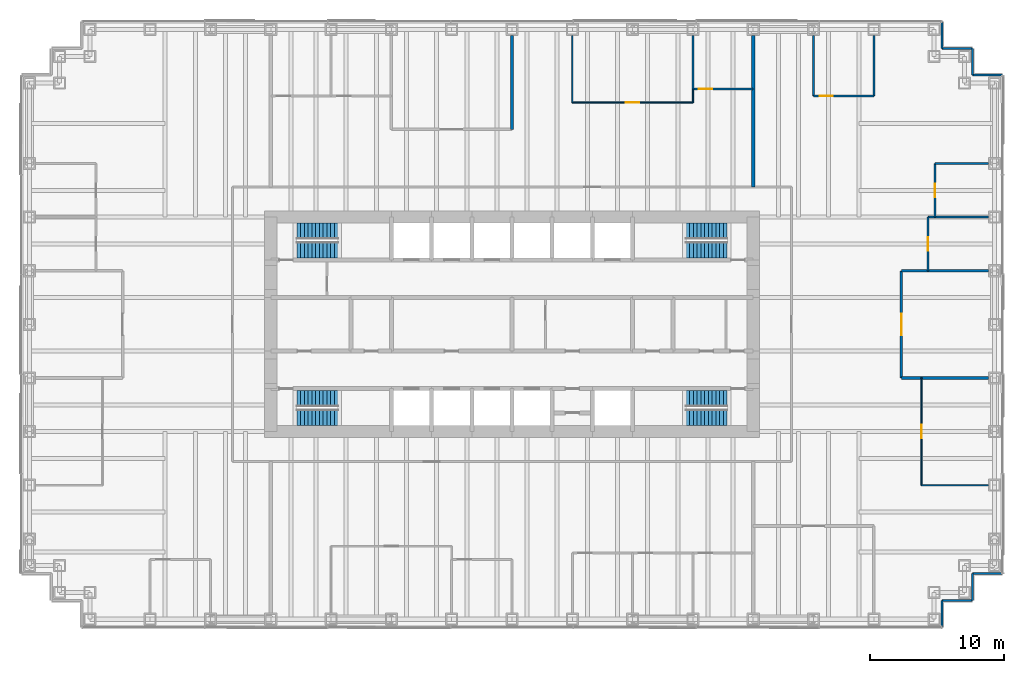
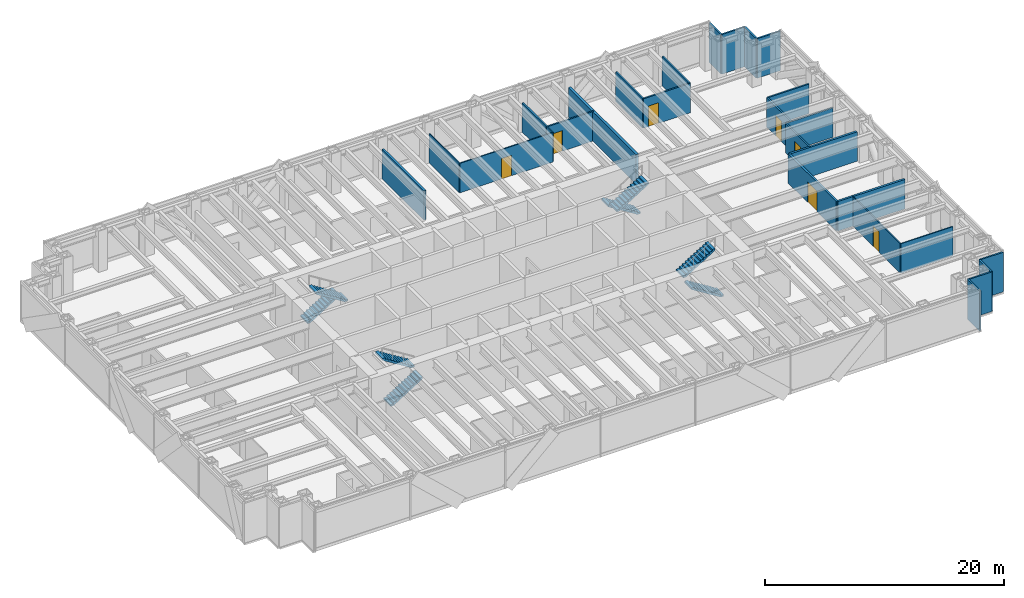
# One storey, part 14 of 15: 27 walls, 8 stair flights, 7 doors, 7 openings, 4 elements without a shape of their own.
"""IFC4 building model written with IfcOpenShell, lengths in metres."""

from ifc_helpers import new_model, si_unit, direction, frame, frame_2d, origin, place, context, subcontext, project, spatial, polyline, rectangle, outline, extrude, material, layer, layer_set, type_object, element, fill, aggregate, save


model = new_model("IFC4")

# Units and contexts
model_context = context("Model", 3, precision=1e-05, world=origin(), true_north=direction((0.0, 1.0)))
body_context = subcontext(model_context, "Body", "Model", "MODEL_VIEW")
ifc_project = project(units=[si_unit("LENGTHUNIT", "METRE"), si_unit("AREAUNIT", "SQUARE_METRE"), si_unit("VOLUMEUNIT", "CUBIC_METRE"), si_unit("PLANEANGLEUNIT", "RADIAN"), si_unit("MASSUNIT", "GRAM", prefix="KILO")], contexts=[model_context])

# Site, building, storey
site_placement = place(None, origin())
site = spatial("IfcSite", under=ifc_project, at=site_placement, CompositionType="ELEMENT")
building_placement = place(site_placement, origin())
building = spatial("IfcBuilding", under=site, at=building_placement, Name="Rheinbord Bourse Tower", CompositionType="ELEMENT")
storey_placement = place(building_placement, frame((0.0, 0.0, 142.5)))
storey = spatial("IfcBuildingStorey", under=building, at=storey_placement, Name="L31", CompositionType="ELEMENT", Elevation=142.5)

# Walls
ifc_material_1 = material(Name="Acoustic gypsum board partition", Category="gypsum board")
ifc_layer_1 = layer(ifc_material_1, 0.199951171875)
ifc_layer_set_1 = layer_set([ifc_layer_1], Name="ACOUSTIC PARTITION 200")
wall_type_1 = type_object("IfcWallType", Name="ACOUSTIC PARTITION 200", PredefinedType="PARTITIONING", material=ifc_layer_set_1)
for number, where, z_axis, x_axis, name in (
    (1, (65.050048828125, 20.0, 0.0), (0.0, 0.0, 1.0), (1.0, 0.0, 0.0), "Partition L31-10"),
    (2, (65.050048828125, 28.0, 0.0), (0.0, 0.0, 1.0), (1.0, 0.0, 0.0), "Partition L31-12"),
):
    element("IfcWall", number, at=place(storey_placement, frame(where, z_axis=z_axis, x_axis=x_axis)), inside=storey, type_object=wall_type_1, Name=name, PredefinedType="PARTITIONING", context=body_context, shape_type="SweptSolid", body=[
        extrude(rectangle(XDim=6.5, YDim=0.199951171875, at=frame_2d((3.25, 0.0))), origin(), (0.0, 0.0, 1.0), 3.0),
    ])
wall_1_placement = place(storey_placement, frame((36.0, 38.550048828125, 0.0), z_axis=(0.0, 0.0, 1.0), x_axis=(0.0, 1.0, 0.0)))
element("IfcWall", 3, at=wall_1_placement, inside=storey, type_object=wall_type_1, Name="Partition L31-37", PredefinedType="PARTITIONING", context=body_context, shape_type="SweptSolid", body=[
    extrude(rectangle(XDim=7.0, YDim=0.199951171875, at=frame_2d((3.5, 0.0))), origin(), (0.0, 0.0, 1.0), 3.0),
])

# Wall, opening, door
wall_2_placement = place(storey_placement, frame((65.050048828125, 20.0, 0.0), z_axis=(0.0, 0.0, 1.0), x_axis=(0.0, 1.0, 0.0)))
wall_2 = element("IfcWall", 4, at=wall_2_placement, inside=storey, type_object=wall_type_1, Name="Partition L31-50", PredefinedType="PARTITIONING", context=body_context, shape_type="SweptSolid", body=[
    extrude(rectangle(XDim=8.0, YDim=0.199951171875, at=frame_2d((4.0, 0.0))), origin(), (0.0, 0.0, 1.0), 3.0),
])
opening_1_placement = place(wall_2_placement, frame((3.199951171875, 0.0, 0.0)))
opening_1 = element("IfcOpeningElement", 5, at=opening_1_placement, cuts=wall_2, Name="Opening 31D11", PredefinedType="OPENING", context=body_context, shape_type="SweptSolid", body=[
    extrude(rectangle(XDim=1.60009765625, YDim=2.10009765625, at=frame_2d((0.800048828125, 1.050048828125))), frame((0.0, 0.10986328125, 0.0), z_axis=(0.0, -1.0, 0.0), x_axis=(1.0, 0.0, 0.0)), (0.0, 0.0, 1.0), 0.219970703125),
])
ifc_material_2 = material(Name="Timber door", Category="wood")
door_type_1 = type_object("IfcDoorType", Name="DOUBLE ROOM DOOR 1600", OperationType="DOUBLE_DOOR_DOUBLE_SWING", PredefinedType="DOOR", material=ifc_material_2)
door_1_placement = place(opening_1_placement, origin())
door_1 = element("IfcDoor", 6, at=door_1_placement, inside=storey, type_object=door_type_1, Name="Suite boardroom door L31", OperationType="SINGLE_SWING_LEFT", OverallHeight=2.10009765625, OverallWidth=1.60009765625, PredefinedType="DOOR", context=body_context, shape_type="SweptSolid", body=[
    extrude(rectangle(XDim=1.60009765625, YDim=2.10009765625, at=frame_2d((0.800048828125, 1.050048828125))), frame((0.0, 0.02490234375, 0.0), z_axis=(0.0, -1.0, 0.0), x_axis=(1.0, 0.0, 0.0)), (0.0, 0.0, 1.0), 0.050048828125),
])
fill(opening_1, door_1)

# Walls
ifc_material_3 = material(Name="Black metal rainscreen panel", Category="aluminium")
ifc_layer_2 = layer(ifc_material_3, 0.14990234375)
ifc_layer_set_2 = layer_set([ifc_layer_2], Name="CORNER PIER CLADDING 150")
wall_type_2 = type_object("IfcWallType", Name="CORNER PIER CLADDING 150", PredefinedType="ELEMENTEDWALL", material=ifc_layer_set_2)
wall_3_placement = place(storey_placement, frame((68.10009765625, 1.39990234375, 0.0), z_axis=(0.0, 0.0, 1.0), x_axis=(0.0, 1.0, 0.0)))
element("IfcWall", 7, at=wall_3_placement, inside=storey, type_object=wall_type_2, Name="Corner pier cladding L31 2", PredefinedType="ELEMENTEDWALL", context=body_context, shape_type="SweptSolid", body=[
    extrude(rectangle(XDim=2.0, YDim=0.14990234375, at=frame_2d((1.0, 0.0))), origin(), (0.0, 0.0, 1.0), 4.0400390625),
])
wall_4_placement = place(storey_placement, frame((68.10009765625, 3.39990234375, 0.0), z_axis=(0.0, 0.0, 1.0), x_axis=(1.0, 0.0, 0.0)))
element("IfcWall", 8, at=wall_4_placement, inside=storey, type_object=wall_type_2, Name="Corner pier cladding L31 3", PredefinedType="ELEMENTEDWALL", context=body_context, shape_type="SweptSolid", body=[
    extrude(rectangle(XDim=2.25, YDim=0.14990234375, at=frame_2d((1.125, 0.0))), origin(), (0.0, 0.0, 1.0), 4.0400390625),
])
wall_5_placement = place(storey_placement, frame((70.35009765625, 3.39990234375, 0.0), z_axis=(0.0, 0.0, 1.0), x_axis=(0.0, 1.0, 0.0)))
element("IfcWall", 9, at=wall_5_placement, inside=storey, type_object=wall_type_2, Name="Corner pier cladding L31 4", PredefinedType="ELEMENTEDWALL", context=body_context, shape_type="SweptSolid", body=[
    extrude(rectangle(XDim=2.0, YDim=0.14990234375, at=frame_2d((1.0, 0.0))), origin(), (0.0, 0.0, 1.0), 4.0400390625),
])
for number, where, z_axis, x_axis, name in (
    (10, (70.35009765625, 5.39990234375, 0.0), (0.0, 0.0, 1.0), (1.0, 0.0, 0.0), "Corner pier cladding L31 5"),
    (11, (72.60009765625, 42.60009765625, 0.0), (0.0, 0.0, 1.0), (-1.0, 0.0, 0.0), "Corner pier cladding L31 7"),
):
    element("IfcWall", number, at=place(storey_placement, frame(where, z_axis=z_axis, x_axis=x_axis)), inside=storey, type_object=wall_type_2, Name=name, PredefinedType="ELEMENTEDWALL", context=body_context, shape_type="SweptSolid", body=[
        extrude(rectangle(XDim=2.25, YDim=0.14990234375, at=frame_2d((1.125, 0.0))), origin(), (0.0, 0.0, 1.0), 4.0400390625),
    ])
wall_6_placement = place(storey_placement, frame((70.35009765625, 42.60009765625, 0.0), z_axis=(0.0, 0.0, 1.0), x_axis=(0.0, 1.0, 0.0)))
element("IfcWall", 12, at=wall_6_placement, inside=storey, type_object=wall_type_2, Name="Corner pier cladding L31 8", PredefinedType="ELEMENTEDWALL", context=body_context, shape_type="SweptSolid", body=[
    extrude(rectangle(XDim=2.0, YDim=0.14990234375, at=frame_2d((1.0, 0.0))), origin(), (0.0, 0.0, 1.0), 4.0400390625),
])
wall_7_placement = place(storey_placement, frame((70.35009765625, 44.60009765625, 0.0), z_axis=(0.0, 0.0, 1.0), x_axis=(-1.0, 0.0, 0.0)))
element("IfcWall", 13, at=wall_7_placement, inside=storey, type_object=wall_type_2, Name="Corner pier cladding L31 9", PredefinedType="ELEMENTEDWALL", context=body_context, shape_type="SweptSolid", body=[
    extrude(rectangle(XDim=2.25, YDim=0.14990234375, at=frame_2d((1.125, 0.0))), origin(), (0.0, 0.0, 1.0), 4.0400390625),
])
wall_8_placement = place(storey_placement, frame((68.10009765625, 44.60009765625, 0.0), z_axis=(0.0, 0.0, 1.0), x_axis=(0.0, 1.0, 0.0)))
element("IfcWall", 14, at=wall_8_placement, inside=storey, type_object=wall_type_2, Name="Corner pier cladding L31 10", PredefinedType="ELEMENTEDWALL", context=body_context, shape_type="SweptSolid", body=[
    extrude(rectangle(XDim=2.0, YDim=0.14990234375, at=frame_2d((1.0, 0.0))), origin(), (0.0, 0.0, 1.0), 4.0400390625),
])
ifc_material_4 = material(Name="Gypsum board tenancy wall", Category="gypsum board")
ifc_layer_3 = layer(ifc_material_4, 0.25)
ifc_layer_set_3 = layer_set([ifc_layer_3], Name="DEMISING PARTITION 250 EI60")
wall_type_3 = type_object("IfcWallType", Name="DEMISING PARTITION 250 EI60", PredefinedType="PARTITIONING", material=ifc_layer_set_3)
wall_9_placement = place(storey_placement, frame((54.0, 34.25, 0.0), z_axis=(0.0, 0.0, 1.0), x_axis=(0.0, 1.0, 0.0)))
element("IfcWall", 15, at=wall_9_placement, inside=storey, type_object=wall_type_3, Name="Partition L31-45", PredefinedType="PARTITIONING", context=body_context, shape_type="SweptSolid", body=[
    extrude(rectangle(XDim=11.300048828125, YDim=0.25, at=frame_2d((5.64990234375, 0.0))), origin(), (0.0, 0.0, 1.0), 3.0),
])
ifc_material_5 = material(Name="Toughened laminated glass partition", Category="glass")
ifc_layer_4 = layer(ifc_material_5, 0.10009765625)
ifc_layer_set_4 = layer_set([ifc_layer_4], Name="GLAZED PARTITION 100")
wall_type_4 = type_object("IfcWallType", Name="GLAZED PARTITION 100", PredefinedType="PARTITIONING", material=ifc_layer_set_4)
wall_10_placement = place(storey_placement, frame((66.550048828125, 12.0, 0.0), z_axis=(0.0, 0.0, 1.0), x_axis=(1.0, 0.0, 0.0)))
element("IfcWall", 16, at=wall_10_placement, inside=storey, type_object=wall_type_4, Name="Partition L31-07", PredefinedType="PARTITIONING", context=body_context, shape_type="SweptSolid", body=[
    extrude(rectangle(XDim=5.0, YDim=0.10009765625, at=frame_2d((2.5, 0.0))), origin(), (0.0, 0.0, 1.0), 3.0),
])

# Wall, opening, door
wall_11_placement = place(storey_placement, frame((40.5, 40.550048828125, 0.0), z_axis=(0.0, 0.0, 1.0), x_axis=(1.0, 0.0, 0.0)))
wall_11 = element("IfcWall", 17, at=wall_11_placement, inside=storey, type_object=wall_type_4, Name="Partition L31-19", PredefinedType="PARTITIONING", context=body_context, shape_type="SweptSolid", body=[
    extrude(rectangle(XDim=9.0, YDim=0.10009765625, at=frame_2d((4.5, 0.0))), origin(), (0.0, 0.0, 1.0), 3.0),
])
opening_2_placement = place(wall_11_placement, frame((4.0, 0.0, 0.0)))
opening_2 = element("IfcOpeningElement", 18, at=opening_2_placement, cuts=wall_11, Name="Opening 31D17", PredefinedType="OPENING", context=body_context, shape_type="SweptSolid", body=[
    extrude(rectangle(XDim=1.0, YDim=2.10009765625, at=frame_2d((0.5, 1.050048828125))), frame((0.0, 0.06005859375, 0.0), z_axis=(0.0, -1.0, 0.0), x_axis=(1.0, 0.0, 0.0)), (0.0, 0.0, 1.0), 0.1201171875),
])
ifc_material_6 = material(Name="Timber door", Category="wood")
door_type_2 = type_object("IfcDoorType", Name="ROOM DOOR 1000", OperationType="SINGLE_SWING_LEFT", PredefinedType="DOOR", material=ifc_material_6)
door_2_placement = place(opening_2_placement, origin())
door_2 = element("IfcDoor", 19, at=door_2_placement, inside=storey, type_object=door_type_2, Name="Meeting room door L31", OperationType="SINGLE_SWING_LEFT", OverallHeight=2.10009765625, OverallWidth=1.0, PredefinedType="DOOR", context=body_context, shape_type="SweptSolid", body=[
    extrude(rectangle(XDim=1.0, YDim=2.10009765625, at=frame_2d((0.5, 1.050048828125))), frame((0.0, 0.02490234375, 0.0), z_axis=(0.0, -1.0, 0.0), x_axis=(1.0, 0.0, 0.0)), (0.0, 0.0, 1.0), 0.050048828125),
])
fill(opening_2, door_2)

# Walls
wall_12_placement = place(storey_placement, frame((40.5, 40.550048828125, 0.0), z_axis=(0.0, 0.0, 1.0), x_axis=(0.0, 1.0, 0.0)))
element("IfcWall", 20, at=wall_12_placement, inside=storey, type_object=wall_type_4, Name="Partition L31-39", PredefinedType="PARTITIONING", context=body_context, shape_type="SweptSolid", body=[
    extrude(rectangle(XDim=5.0, YDim=0.10009765625, at=frame_2d((2.5, 0.0))), origin(), (0.0, 0.0, 1.0), 3.0),
])
wall_13_placement = place(storey_placement, frame((49.5, 40.550048828125, 0.0), z_axis=(0.0, 0.0, 1.0), x_axis=(0.0, 1.0, 0.0)))
element("IfcWall", 21, at=wall_13_placement, inside=storey, type_object=wall_type_4, Name="Partition L31-42", PredefinedType="PARTITIONING", context=body_context, shape_type="SweptSolid", body=[
    extrude(rectangle(XDim=1.0, YDim=0.10009765625, at=frame_2d((0.5, 0.0))), origin(), (0.0, 0.0, 1.0), 3.0),
])

# Wall, opening, door
wall_14_placement = place(storey_placement, frame((66.550048828125, 12.0, 0.0), z_axis=(0.0, 0.0, 1.0), x_axis=(0.0, 1.0, 0.0)))
wall_14 = element("IfcWall", 22, at=wall_14_placement, inside=storey, type_object=wall_type_4, Name="Partition L31-51", PredefinedType="PARTITIONING", context=body_context, shape_type="SweptSolid", body=[
    extrude(rectangle(XDim=8.0, YDim=0.10009765625, at=frame_2d((4.0, 0.0))), origin(), (0.0, 0.0, 1.0), 3.0),
])
opening_3_placement = place(wall_14_placement, frame((3.5, 0.0, 0.0)))
opening_3 = element("IfcOpeningElement", 23, at=opening_3_placement, cuts=wall_14, Name="Opening 31D08", PredefinedType="OPENING", context=body_context, shape_type="SweptSolid", body=[
    extrude(rectangle(XDim=1.0, YDim=2.10009765625, at=frame_2d((0.5, 1.050048828125))), frame((0.0, 0.06005859375, 0.0), z_axis=(0.0, -1.0, 0.0), x_axis=(1.0, 0.0, 0.0)), (0.0, 0.0, 1.0), 0.1201171875),
])
door_3_placement = place(opening_3_placement, origin())
door_3 = element("IfcDoor", 24, at=door_3_placement, inside=storey, type_object=door_type_2, Name="Meeting room door L31", OperationType="SINGLE_SWING_LEFT", OverallHeight=2.10009765625, OverallWidth=1.0, PredefinedType="DOOR", context=body_context, shape_type="SweptSolid", body=[
    extrude(rectangle(XDim=1.0, YDim=2.10009765625, at=frame_2d((0.5, 1.050048828125))), frame((0.0, 0.02490234375, 0.0), z_axis=(0.0, -1.0, 0.0), x_axis=(1.0, 0.0, 0.0)), (0.0, 0.0, 1.0), 0.050048828125),
])
fill(opening_3, door_3)

# Walls
ifc_material_7 = material(Name="Gypsum board partition", Category="gypsum board")
ifc_layer_5 = layer(ifc_material_7, 0.14990234375)
ifc_layer_set_5 = layer_set([ifc_layer_5], Name="PARTITION 150")
wall_type_5 = type_object("IfcWallType", Name="PARTITION 150", PredefinedType="PARTITIONING", material=ifc_layer_set_5)
wall_15_placement = place(storey_placement, frame((67.050048828125, 32.0, 0.0), z_axis=(0.0, 0.0, 1.0), x_axis=(1.0, 0.0, 0.0)))
element("IfcWall", 25, at=wall_15_placement, inside=storey, type_object=wall_type_5, Name="Partition L31-14", PredefinedType="PARTITIONING", context=body_context, shape_type="SweptSolid", body=[
    extrude(rectangle(XDim=4.5, YDim=0.14990234375, at=frame_2d((2.25, 0.0))), origin(), (0.0, 0.0, 1.0), 3.0),
])
wall_16_placement = place(storey_placement, frame((67.550048828125, 36.0, 0.0), z_axis=(0.0, 0.0, 1.0), x_axis=(1.0, 0.0, 0.0)))
element("IfcWall", 26, at=wall_16_placement, inside=storey, type_object=wall_type_5, Name="Partition L31-17", PredefinedType="PARTITIONING", context=body_context, shape_type="SweptSolid", body=[
    extrude(rectangle(XDim=4.0, YDim=0.14990234375, at=frame_2d((2.0, 0.0))), origin(), (0.0, 0.0, 1.0), 3.0),
])

# Wall, opening, door
wall_17_placement = place(storey_placement, frame((58.5, 41.050048828125, 0.0), z_axis=(0.0, 0.0, 1.0), x_axis=(1.0, 0.0, 0.0)))
wall_17 = element("IfcWall", 27, at=wall_17_placement, inside=storey, type_object=wall_type_5, Name="Partition L31-21", PredefinedType="PARTITIONING", context=body_context, shape_type="SweptSolid", body=[
    extrude(rectangle(XDim=4.5, YDim=0.14990234375, at=frame_2d((2.25, 0.0))), origin(), (0.0, 0.0, 1.0), 3.0),
])
opening_4_placement = place(wall_17_placement, frame((0.449951171875, 0.0, 0.0)))
opening_4 = element("IfcOpeningElement", 28, at=opening_4_placement, cuts=wall_17, Name="Opening 31D20", PredefinedType="OPENING", context=body_context, shape_type="SweptSolid", body=[
    extrude(rectangle(XDim=1.0, YDim=2.10009765625, at=frame_2d((0.5, 1.050048828125))), frame((0.0, 0.0849609375, 0.0), z_axis=(0.0, -1.0, 0.0), x_axis=(1.0, 0.0, 0.0)), (0.0, 0.0, 1.0), 0.169921875),
])
door_4_placement = place(opening_4_placement, origin())
door_4 = element("IfcDoor", 29, at=door_4_placement, inside=storey, type_object=door_type_2, Name="Office door L31", OperationType="SINGLE_SWING_LEFT", OverallHeight=2.10009765625, OverallWidth=1.0, PredefinedType="DOOR", context=body_context, shape_type="SweptSolid", body=[
    extrude(rectangle(XDim=1.0, YDim=2.10009765625, at=frame_2d((0.5, 1.050048828125))), frame((0.0, 0.02490234375, 0.0), z_axis=(0.0, -1.0, 0.0), x_axis=(1.0, 0.0, 0.0)), (0.0, 0.0, 1.0), 0.050048828125),
])
fill(opening_4, door_4)

wall_18_placement = place(storey_placement, frame((49.5, 41.550048828125, 0.0), z_axis=(0.0, 0.0, 1.0), x_axis=(1.0, 0.0, 0.0)))
wall_18 = element("IfcWall", 30, at=wall_18_placement, inside=storey, type_object=wall_type_5, Name="Partition L31-22", PredefinedType="PARTITIONING", context=body_context, shape_type="SweptSolid", body=[
    extrude(rectangle(XDim=4.5, YDim=0.14990234375, at=frame_2d((2.25, 0.0))), origin(), (0.0, 0.0, 1.0), 3.0),
])
opening_5_placement = place(wall_18_placement, frame((0.449951171875, 0.0, 0.0)))
opening_5 = element("IfcOpeningElement", 31, at=opening_5_placement, cuts=wall_18, Name="Opening 31D21", PredefinedType="OPENING", context=body_context, shape_type="SweptSolid", body=[
    extrude(rectangle(XDim=1.0, YDim=2.10009765625, at=frame_2d((0.5, 1.050048828125))), frame((0.0, 0.0849609375, 0.0), z_axis=(0.0, -1.0, 0.0), x_axis=(1.0, 0.0, 0.0)), (0.0, 0.0, 1.0), 0.169921875),
])
door_5_placement = place(opening_5_placement, origin())
door_5 = element("IfcDoor", 32, at=door_5_placement, inside=storey, type_object=door_type_2, Name="Kitchenette door L31", OperationType="SINGLE_SWING_LEFT", OverallHeight=2.10009765625, OverallWidth=1.0, PredefinedType="DOOR", context=body_context, shape_type="SweptSolid", body=[
    extrude(rectangle(XDim=1.0, YDim=2.10009765625, at=frame_2d((0.5, 1.050048828125))), frame((0.0, 0.02490234375, 0.0), z_axis=(0.0, -1.0, 0.0), x_axis=(1.0, 0.0, 0.0)), (0.0, 0.0, 1.0), 0.050048828125),
])
fill(opening_5, door_5)

# Walls
wall_19_placement = place(storey_placement, frame((49.5, 41.550048828125, 0.0), z_axis=(0.0, 0.0, 1.0), x_axis=(0.0, 1.0, 0.0)))
element("IfcWall", 33, at=wall_19_placement, inside=storey, type_object=wall_type_5, Name="Partition L31-43", PredefinedType="PARTITIONING", context=body_context, shape_type="SweptSolid", body=[
    extrude(rectangle(XDim=4.0, YDim=0.14990234375, at=frame_2d((2.0, 0.0))), origin(), (0.0, 0.0, 1.0), 3.0),
])
for number, where, z_axis, x_axis, name in (
    (34, (58.5, 41.050048828125, 0.0), (0.0, 0.0, 1.0), (0.0, 1.0, 0.0), "Partition L31-47"),
    (35, (63.0, 41.050048828125, 0.0), (0.0, 0.0, 1.0), (0.0, 1.0, 0.0), "Partition L31-49"),
):
    element("IfcWall", number, at=place(storey_placement, frame(where, z_axis=z_axis, x_axis=x_axis)), inside=storey, type_object=wall_type_5, Name=name, PredefinedType="PARTITIONING", context=body_context, shape_type="SweptSolid", body=[
        extrude(rectangle(XDim=4.5, YDim=0.14990234375, at=frame_2d((2.25, 0.0))), origin(), (0.0, 0.0, 1.0), 3.0),
    ])

# Wall, opening, door
wall_20_placement = place(storey_placement, frame((67.050048828125, 28.0, 0.0), z_axis=(0.0, 0.0, 1.0), x_axis=(0.0, 1.0, 0.0)))
wall_20 = element("IfcWall", 36, at=wall_20_placement, inside=storey, type_object=wall_type_5, Name="Partition L31-52", PredefinedType="PARTITIONING", context=body_context, shape_type="SweptSolid", body=[
    extrude(rectangle(XDim=4.0, YDim=0.14990234375, at=frame_2d((2.0, 0.0))), origin(), (0.0, 0.0, 1.0), 3.0),
])
opening_6_placement = place(wall_20_placement, frame((1.5, 0.0, 0.0)))
opening_6 = element("IfcOpeningElement", 37, at=opening_6_placement, cuts=wall_20, Name="Opening 31D13", PredefinedType="OPENING", context=body_context, shape_type="SweptSolid", body=[
    extrude(rectangle(XDim=1.0, YDim=2.10009765625, at=frame_2d((0.5, 1.050048828125))), frame((0.0, 0.0849609375, 0.0), z_axis=(0.0, -1.0, 0.0), x_axis=(1.0, 0.0, 0.0)), (0.0, 0.0, 1.0), 0.169921875),
])
door_6_placement = place(opening_6_placement, origin())
door_6 = element("IfcDoor", 38, at=door_6_placement, inside=storey, type_object=door_type_2, Name="Office door L31", OperationType="SINGLE_SWING_LEFT", OverallHeight=2.10009765625, OverallWidth=1.0, PredefinedType="DOOR", context=body_context, shape_type="SweptSolid", body=[
    extrude(rectangle(XDim=1.0, YDim=2.10009765625, at=frame_2d((0.5, 1.050048828125))), frame((0.0, 0.02490234375, 0.0), z_axis=(0.0, -1.0, 0.0), x_axis=(1.0, 0.0, 0.0)), (0.0, 0.0, 1.0), 0.050048828125),
])
fill(opening_6, door_6)

wall_21_placement = place(storey_placement, frame((67.550048828125, 32.0, 0.0), z_axis=(0.0, 0.0, 1.0), x_axis=(0.0, 1.0, 0.0)))
wall_21 = element("IfcWall", 39, at=wall_21_placement, inside=storey, type_object=wall_type_5, Name="Partition L31-53", PredefinedType="PARTITIONING", context=body_context, shape_type="SweptSolid", body=[
    extrude(rectangle(XDim=4.0, YDim=0.14990234375, at=frame_2d((2.0, 0.0))), origin(), (0.0, 0.0, 1.0), 3.0),
])
opening_7_placement = place(wall_21_placement, frame((1.5, 0.0, 0.0)))
opening_7 = element("IfcOpeningElement", 40, at=opening_7_placement, cuts=wall_21, Name="Opening 31D15", PredefinedType="OPENING", context=body_context, shape_type="SweptSolid", body=[
    extrude(rectangle(XDim=1.0, YDim=2.10009765625, at=frame_2d((0.5, 1.050048828125))), frame((0.0, 0.0849609375, 0.0), z_axis=(0.0, -1.0, 0.0), x_axis=(1.0, 0.0, 0.0)), (0.0, 0.0, 1.0), 0.169921875),
])
door_7_placement = place(opening_7_placement, origin())
door_7 = element("IfcDoor", 41, at=door_7_placement, inside=storey, type_object=door_type_2, Name="Kitchenette door L31", OperationType="SINGLE_SWING_LEFT", OverallHeight=2.10009765625, OverallWidth=1.0, PredefinedType="DOOR", context=body_context, shape_type="SweptSolid", body=[
    extrude(rectangle(XDim=1.0, YDim=2.10009765625, at=frame_2d((0.5, 1.050048828125))), frame((0.0, 0.02490234375, 0.0), z_axis=(0.0, -1.0, 0.0), x_axis=(1.0, 0.0, 0.0)), (0.0, 0.0, 1.0), 0.050048828125),
])
fill(opening_7, door_7)

# Stair, stair flights
ifc_material_8 = material(Name="Concrete C30/37", Category="concrete")
stair_type = type_object("IfcStairType", Name="CORE STAIR HALF TURN 4200", PredefinedType="HALF_TURN_STAIR", material=ifc_material_8)
stair_1_placement = place(storey_placement, origin())
stair_1 = element("IfcStair", 42, at=stair_1_placement, inside=storey, type_object=stair_type, Name="Stair ST1 L31, type CS6", PredefinedType="HALF_TURN_STAIR")
ifc_material_9 = material(Name="Concrete C30/37", Category="concrete")
stair_flight_type = type_object("IfcStairFlightType", Name="CORE STAIR FLIGHT 1200, 12 RISERS", PredefinedType="STRAIGHT", material=ifc_material_9)
stair_flight_1_placement = place(storey_placement, frame((19.949951171875, 17.050048828125, 0.0), z_axis=(0.0, 0.0, 1.0), x_axis=(1.0, 0.0, 0.0)))
stair_flight_1 = element("IfcStairFlight", 43, at=stair_flight_1_placement, type_object=stair_flight_type, Name="STAIR L31 ST1 F1", NumberOfRisers=12, NumberOfTreads=11, PredefinedType="STRAIGHT", RiserHeight=0.175, TreadLength=0.28, context=body_context, shape_type="SweptSolid", body=[
    extrude(outline(polyline([(0.0, 0.0), (0.0, 0.175048828125), (0.280029296875, 0.175048828125), (0.280029296875, 0.35009765625), (0.56005859375, 0.35009765625), (0.56005859375, 0.52490234375), (0.840087890625, 0.52490234375), (0.840087890625, 0.699951171875), (1.1201171875, 0.699951171875), (1.1201171875, 0.875), (1.39990234375, 0.875), (1.39990234375, 1.050048828125), (1.679931640625, 1.050048828125), (1.679931640625, 1.22509765625), (1.9599609375, 1.22509765625), (1.9599609375, 1.39990234375), (2.239990234375, 1.39990234375), (2.239990234375, 1.574951171875), (2.52001953125, 1.574951171875), (2.52001953125, 1.75), (2.800048828125, 1.75), (2.800048828125, 1.925048828125), (3.080078125, 1.925048828125), (3.080078125, 2.10009765625), (3.080078125, 1.748291015625), (0.28271484375, 0.0), (0.0, 0.0)])), frame((0.0, 0.60009765625, 0.0), z_axis=(0.0, -1.0, 0.0), x_axis=(1.0, 0.0, 0.0)), (0.0, 0.0, 1.0), 1.199951171875),
])
stair_flight_2_placement = place(storey_placement, frame((23.030029296875, 18.449951171875, 2.10009765625), z_axis=(0.0, 0.0, 1.0), x_axis=(-1.0, 0.0, 0.0)))
stair_flight_2 = element("IfcStairFlight", 44, at=stair_flight_2_placement, type_object=stair_flight_type, Name="STAIR L31 ST1 F2", NumberOfRisers=12, NumberOfTreads=11, PredefinedType="STRAIGHT", RiserHeight=0.175, TreadLength=0.28, context=body_context, shape_type="SweptSolid", body=[
    extrude(outline(polyline([(0.0, 0.0), (0.0, 0.175048828125), (0.280029296875, 0.175048828125), (0.280029296875, 0.35009765625), (0.56005859375, 0.35009765625), (0.56005859375, 0.52490234375), (0.840087890625, 0.52490234375), (0.840087890625, 0.699951171875), (1.1201171875, 0.699951171875), (1.1201171875, 0.875), (1.39990234375, 0.875), (1.39990234375, 1.050048828125), (1.679931640625, 1.050048828125), (1.679931640625, 1.22509765625), (1.9599609375, 1.22509765625), (1.9599609375, 1.39990234375), (2.239990234375, 1.39990234375), (2.239990234375, 1.574951171875), (2.52001953125, 1.574951171875), (2.52001953125, 1.75), (2.800048828125, 1.75), (2.800048828125, 1.925048828125), (3.080078125, 1.925048828125), (3.080078125, 2.10009765625), (3.080078125, 1.748291015625), (0.28271484375, 0.0), (0.0, 0.0)])), frame((0.0, 0.60009765625, 0.0), z_axis=(0.0, -1.0, 0.0), x_axis=(1.0, 0.0, 0.0)), (0.0, 0.0, 1.0), 1.199951171875),
])
aggregate(stair_1, [stair_flight_1, stair_flight_2])

stair_2_placement = place(storey_placement, origin())
stair_2 = element("IfcStair", 45, at=stair_2_placement, inside=storey, type_object=stair_type, Name="Stair ST2 L31, type CS6", PredefinedType="HALF_TURN_STAIR")
stair_flight_3_placement = place(storey_placement, frame((19.949951171875, 30.949951171875, 0.0), z_axis=(0.0, 0.0, 1.0), x_axis=(1.0, 0.0, 0.0)))
stair_flight_3 = element("IfcStairFlight", 46, at=stair_flight_3_placement, type_object=stair_flight_type, Name="STAIR L31 ST2 F1", NumberOfRisers=12, NumberOfTreads=11, PredefinedType="STRAIGHT", RiserHeight=0.175, TreadLength=0.28, context=body_context, shape_type="SweptSolid", body=[
    extrude(outline(polyline([(0.0, 0.0), (0.0, 0.175048828125), (0.280029296875, 0.175048828125), (0.280029296875, 0.35009765625), (0.56005859375, 0.35009765625), (0.56005859375, 0.52490234375), (0.840087890625, 0.52490234375), (0.840087890625, 0.699951171875), (1.1201171875, 0.699951171875), (1.1201171875, 0.875), (1.39990234375, 0.875), (1.39990234375, 1.050048828125), (1.679931640625, 1.050048828125), (1.679931640625, 1.22509765625), (1.9599609375, 1.22509765625), (1.9599609375, 1.39990234375), (2.239990234375, 1.39990234375), (2.239990234375, 1.574951171875), (2.52001953125, 1.574951171875), (2.52001953125, 1.75), (2.800048828125, 1.75), (2.800048828125, 1.925048828125), (3.080078125, 1.925048828125), (3.080078125, 2.10009765625), (3.080078125, 1.748291015625), (0.28271484375, 0.0), (0.0, 0.0)])), frame((0.0, 0.60009765625, 0.0), z_axis=(0.0, -1.0, 0.0), x_axis=(1.0, 0.0, 0.0)), (0.0, 0.0, 1.0), 1.199951171875),
])
stair_flight_4_placement = place(storey_placement, frame((23.030029296875, 29.550048828125, 2.10009765625), z_axis=(0.0, 0.0, 1.0), x_axis=(-1.0, 0.0, 0.0)))
stair_flight_4 = element("IfcStairFlight", 47, at=stair_flight_4_placement, type_object=stair_flight_type, Name="STAIR L31 ST2 F2", NumberOfRisers=12, NumberOfTreads=11, PredefinedType="STRAIGHT", RiserHeight=0.175, TreadLength=0.28, context=body_context, shape_type="SweptSolid", body=[
    extrude(outline(polyline([(0.0, 0.0), (0.0, 0.175048828125), (0.280029296875, 0.175048828125), (0.280029296875, 0.35009765625), (0.56005859375, 0.35009765625), (0.56005859375, 0.52490234375), (0.840087890625, 0.52490234375), (0.840087890625, 0.699951171875), (1.1201171875, 0.699951171875), (1.1201171875, 0.875), (1.39990234375, 0.875), (1.39990234375, 1.050048828125), (1.679931640625, 1.050048828125), (1.679931640625, 1.22509765625), (1.9599609375, 1.22509765625), (1.9599609375, 1.39990234375), (2.239990234375, 1.39990234375), (2.239990234375, 1.574951171875), (2.52001953125, 1.574951171875), (2.52001953125, 1.75), (2.800048828125, 1.75), (2.800048828125, 1.925048828125), (3.080078125, 1.925048828125), (3.080078125, 2.10009765625), (3.080078125, 1.748291015625), (0.28271484375, 0.0), (0.0, 0.0)])), frame((0.0, 0.60009765625, 0.0), z_axis=(0.0, -1.0, 0.0), x_axis=(1.0, 0.0, 0.0)), (0.0, 0.0, 1.0), 1.199951171875),
])
aggregate(stair_2, [stair_flight_3, stair_flight_4])

stair_3_placement = place(storey_placement, origin())
stair_3 = element("IfcStair", 48, at=stair_3_placement, inside=storey, type_object=stair_type, Name="Stair ST3 L31, type CS6", PredefinedType="HALF_TURN_STAIR")
stair_flight_5_placement = place(storey_placement, frame((52.050048828125, 17.050048828125, 0.0), z_axis=(0.0, 0.0, 1.0), x_axis=(-1.0, 0.0, 0.0)))
stair_flight_5 = element("IfcStairFlight", 49, at=stair_flight_5_placement, type_object=stair_flight_type, Name="STAIR L31 ST3 F1", NumberOfRisers=12, NumberOfTreads=11, PredefinedType="STRAIGHT", RiserHeight=0.175, TreadLength=0.28, context=body_context, shape_type="SweptSolid", body=[
    extrude(outline(polyline([(0.0, 0.0), (0.0, 0.175048828125), (0.280029296875, 0.175048828125), (0.280029296875, 0.35009765625), (0.56005859375, 0.35009765625), (0.56005859375, 0.52490234375), (0.840087890625, 0.52490234375), (0.840087890625, 0.699951171875), (1.1201171875, 0.699951171875), (1.1201171875, 0.875), (1.39990234375, 0.875), (1.39990234375, 1.050048828125), (1.679931640625, 1.050048828125), (1.679931640625, 1.22509765625), (1.9599609375, 1.22509765625), (1.9599609375, 1.39990234375), (2.239990234375, 1.39990234375), (2.239990234375, 1.574951171875), (2.52001953125, 1.574951171875), (2.52001953125, 1.75), (2.800048828125, 1.75), (2.800048828125, 1.925048828125), (3.080078125, 1.925048828125), (3.080078125, 2.10009765625), (3.080078125, 1.748291015625), (0.28271484375, 0.0), (0.0, 0.0)])), frame((0.0, 0.60009765625, 0.0), z_axis=(0.0, -1.0, 0.0), x_axis=(1.0, 0.0, 0.0)), (0.0, 0.0, 1.0), 1.199951171875),
])
stair_flight_6_placement = place(storey_placement, frame((48.969970703125, 18.449951171875, 2.10009765625), z_axis=(0.0, 0.0, 1.0), x_axis=(1.0, 0.0, 0.0)))
stair_flight_6 = element("IfcStairFlight", 50, at=stair_flight_6_placement, type_object=stair_flight_type, Name="STAIR L31 ST3 F2", NumberOfRisers=12, NumberOfTreads=11, PredefinedType="STRAIGHT", RiserHeight=0.175, TreadLength=0.28, context=body_context, shape_type="SweptSolid", body=[
    extrude(outline(polyline([(0.0, 0.0), (0.0, 0.175048828125), (0.280029296875, 0.175048828125), (0.280029296875, 0.35009765625), (0.56005859375, 0.35009765625), (0.56005859375, 0.52490234375), (0.840087890625, 0.52490234375), (0.840087890625, 0.699951171875), (1.1201171875, 0.699951171875), (1.1201171875, 0.875), (1.39990234375, 0.875), (1.39990234375, 1.050048828125), (1.679931640625, 1.050048828125), (1.679931640625, 1.22509765625), (1.9599609375, 1.22509765625), (1.9599609375, 1.39990234375), (2.239990234375, 1.39990234375), (2.239990234375, 1.574951171875), (2.52001953125, 1.574951171875), (2.52001953125, 1.75), (2.800048828125, 1.75), (2.800048828125, 1.925048828125), (3.080078125, 1.925048828125), (3.080078125, 2.10009765625), (3.080078125, 1.748291015625), (0.28271484375, 0.0), (0.0, 0.0)])), frame((0.0, 0.60009765625, 0.0), z_axis=(0.0, -1.0, 0.0), x_axis=(1.0, 0.0, 0.0)), (0.0, 0.0, 1.0), 1.199951171875),
])
aggregate(stair_3, [stair_flight_5, stair_flight_6])

stair_4_placement = place(storey_placement, origin())
stair_4 = element("IfcStair", 51, at=stair_4_placement, inside=storey, type_object=stair_type, Name="Stair ST4 L31, type CS6", PredefinedType="HALF_TURN_STAIR")
stair_flight_7_placement = place(storey_placement, frame((52.050048828125, 30.949951171875, 0.0), z_axis=(0.0, 0.0, 1.0), x_axis=(-1.0, 0.0, 0.0)))
stair_flight_7 = element("IfcStairFlight", 52, at=stair_flight_7_placement, type_object=stair_flight_type, Name="STAIR L31 ST4 F1", NumberOfRisers=12, NumberOfTreads=11, PredefinedType="STRAIGHT", RiserHeight=0.175, TreadLength=0.28, context=body_context, shape_type="SweptSolid", body=[
    extrude(outline(polyline([(0.0, 0.0), (0.0, 0.175048828125), (0.280029296875, 0.175048828125), (0.280029296875, 0.35009765625), (0.56005859375, 0.35009765625), (0.56005859375, 0.52490234375), (0.840087890625, 0.52490234375), (0.840087890625, 0.699951171875), (1.1201171875, 0.699951171875), (1.1201171875, 0.875), (1.39990234375, 0.875), (1.39990234375, 1.050048828125), (1.679931640625, 1.050048828125), (1.679931640625, 1.22509765625), (1.9599609375, 1.22509765625), (1.9599609375, 1.39990234375), (2.239990234375, 1.39990234375), (2.239990234375, 1.574951171875), (2.52001953125, 1.574951171875), (2.52001953125, 1.75), (2.800048828125, 1.75), (2.800048828125, 1.925048828125), (3.080078125, 1.925048828125), (3.080078125, 2.10009765625), (3.080078125, 1.748291015625), (0.28271484375, 0.0), (0.0, 0.0)])), frame((0.0, 0.60009765625, 0.0), z_axis=(0.0, -1.0, 0.0), x_axis=(1.0, 0.0, 0.0)), (0.0, 0.0, 1.0), 1.199951171875),
])
stair_flight_8_placement = place(storey_placement, frame((48.969970703125, 29.550048828125, 2.10009765625), z_axis=(0.0, 0.0, 1.0), x_axis=(1.0, 0.0, 0.0)))
stair_flight_8 = element("IfcStairFlight", 53, at=stair_flight_8_placement, type_object=stair_flight_type, Name="STAIR L31 ST4 F2", NumberOfRisers=12, NumberOfTreads=11, PredefinedType="STRAIGHT", RiserHeight=0.175, TreadLength=0.28, context=body_context, shape_type="SweptSolid", body=[
    extrude(outline(polyline([(0.0, 0.0), (0.0, 0.175048828125), (0.280029296875, 0.175048828125), (0.280029296875, 0.35009765625), (0.56005859375, 0.35009765625), (0.56005859375, 0.52490234375), (0.840087890625, 0.52490234375), (0.840087890625, 0.699951171875), (1.1201171875, 0.699951171875), (1.1201171875, 0.875), (1.39990234375, 0.875), (1.39990234375, 1.050048828125), (1.679931640625, 1.050048828125), (1.679931640625, 1.22509765625), (1.9599609375, 1.22509765625), (1.9599609375, 1.39990234375), (2.239990234375, 1.39990234375), (2.239990234375, 1.574951171875), (2.52001953125, 1.574951171875), (2.52001953125, 1.75), (2.800048828125, 1.75), (2.800048828125, 1.925048828125), (3.080078125, 1.925048828125), (3.080078125, 2.10009765625), (3.080078125, 1.748291015625), (0.28271484375, 0.0), (0.0, 0.0)])), frame((0.0, 0.60009765625, 0.0), z_axis=(0.0, -1.0, 0.0), x_axis=(1.0, 0.0, 0.0)), (0.0, 0.0, 1.0), 1.199951171875),
])
aggregate(stair_4, [stair_flight_7, stair_flight_8])

save(model, "model.ifc")
